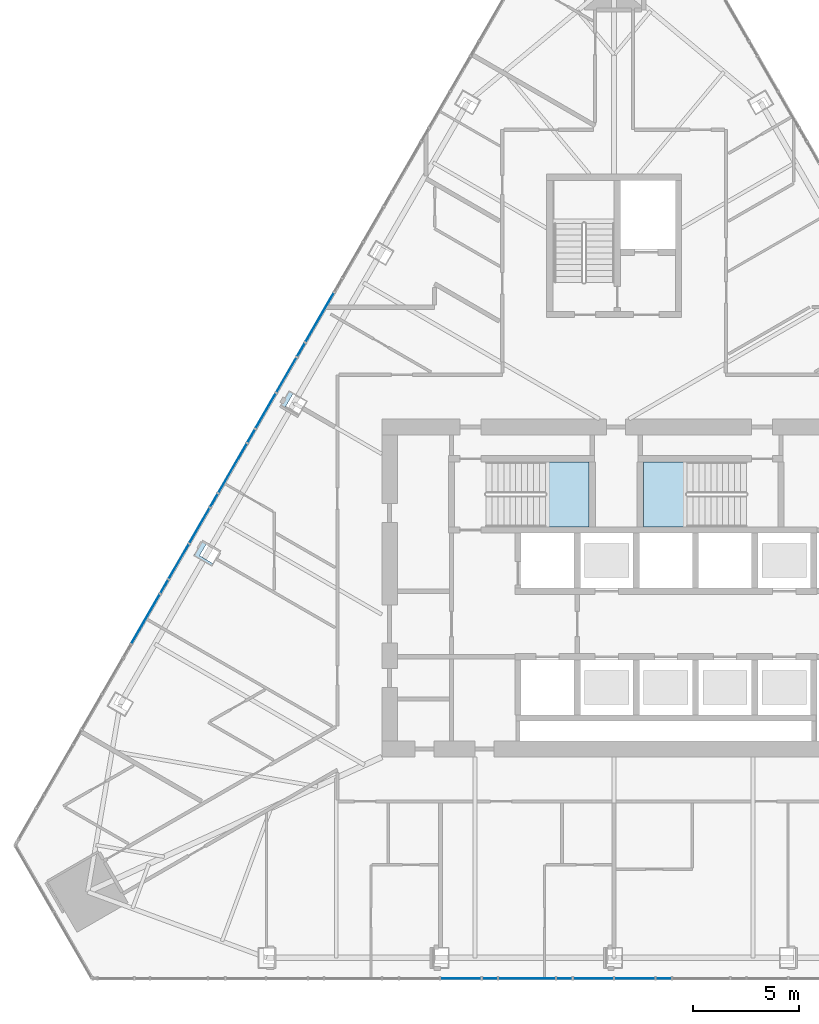
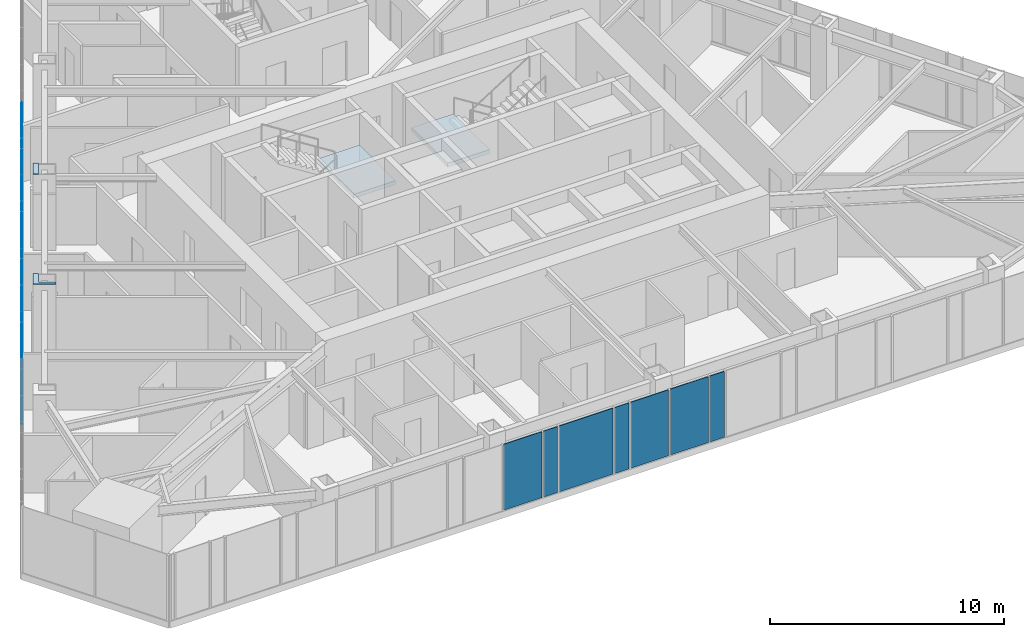
# One storey, part 13 of 24: 20 plates, 2 slabs, 4 elements without a shape of their own.
"""IFC4 building model written with IfcOpenShell, lengths in metres."""

from ifc_helpers import new_model, si_unit, direction, frame, origin, place, context, subcontext, project, spatial, polyline, outline, extrude, material, layer, layer_set, type_object, element, aggregate, save


model = new_model("IFC4")

# Units and contexts
model_context = context("Model", 3, precision=1e-05, world=origin(), true_north=direction((0.0, 1.0)))
body_context = subcontext(model_context, "Body", "Model", "MODEL_VIEW")
ifc_project = project(units=[si_unit("LENGTHUNIT", "METRE"), si_unit("AREAUNIT", "SQUARE_METRE"), si_unit("VOLUMEUNIT", "CUBIC_METRE"), si_unit("PLANEANGLEUNIT", "RADIAN"), si_unit("MASSUNIT", "GRAM", prefix="KILO")], contexts=[model_context])

# Site, building, storey
site_placement = place(None, origin())
site = spatial("IfcSite", under=ifc_project, at=site_placement, CompositionType="ELEMENT")
building_placement = place(site_placement, origin())
building = spatial("IfcBuilding", under=site, at=building_placement, Name="Firuza Gate Tower and Library", CompositionType="ELEMENT")
storey_placement = place(building_placement, frame((0.0, 0.0, 237.699951171875)))
storey = spatial("IfcBuildingStorey", under=building, at=storey_placement, Name="L56", CompositionType="ELEMENT", Elevation=237.699951171875)

# Plates
ifc_material_1 = material(Name="Steel S355", Category="steel")
ifc_layer_1 = layer(ifc_material_1, 0.030029296875)
ifc_layer_set_1 = layer_set([ifc_layer_1], Name="Column infill plate 30 Steel S355")
plate_type_1 = type_object("IfcPlateType", Name="Column infill plate 30 Steel S355", PredefinedType="SHEET", material=ifc_layer_set_1)
placement_1 = place(storey_placement, frame((0.0, 0.0, 3.900146484375)))
element("IfcPlate", 1, at=placement_1, inside=storey, type_object=plate_type_1, Name="Infill plate L56:W3", PredefinedType="SHEET", context=body_context, shape_type="SweptSolid", body=[
    extrude(outline(polyline([(59.2080078125, 83.655517578125), (59.415283203125, 83.535888671875), (59.815185546875, 84.228759765625), (60.47412109375, 83.848388671875), (60.47412109375, 83.848388671875), (59.608154296875, 84.348388671875), (59.2080078125, 83.655517578125)])), origin(), (0.0, 0.0, 1.0), 0.02978515625),
])
element("IfcPlate", 2, at=placement_1, inside=storey, type_object=plate_type_1, Name="Infill plate L56:W4", PredefinedType="SHEET", context=body_context, shape_type="SweptSolid", body=[
    extrude(outline(polyline([(55.96142578125, 76.031982421875), (56.0302734375, 76.151611328125), (55.37158203125, 76.531982421875), (55.702392578125, 77.105224609375), (55.495361328125, 77.224853515625), (55.09521484375, 76.531982421875), (55.96142578125, 76.031982421875)])), origin(), (0.0, 0.0, 1.0), 0.02978515625),
])

# Curtain wall, plates
ifc_material_2 = material(Name="Aluminium 6063-T6", Category="aluminium")
ifc_layer_2 = layer(ifc_material_2, 0.14990234375)
ifc_layer_set_2 = layer_set([ifc_layer_2], Name="Unitised curtain wall, hotel")
curtain_wall_type = type_object("IfcCurtainWallType", Name="Unitised curtain wall, hotel", PredefinedType="NOTDEFINED", material=ifc_layer_set_2)
placement_2 = place(storey_placement, origin())
curtain_wall_1 = element("IfcCurtainWall", 3, at=placement_2, inside=storey, type_object=curtain_wall_type, Name="CW2 L56 S face", PredefinedType="NOTDEFINED")
ifc_material_3 = material(Name="Fritted glass", Category="glass")
ifc_layer_3 = layer(ifc_material_3, 0.030029296875)
ifc_layer_set_3 = layer_set([ifc_layer_3], Name="Fritted glass unit, hotel")
plate_type_2 = type_object("IfcPlateType", Name="Fritted glass unit, hotel", PredefinedType="CURTAIN_PANEL", material=ifc_layer_set_3)
plate_3_placement = place(storey_placement, frame((66.800048828125, 56.506103515625, 0.150146484375), z_axis=(0.0, -1.0, 0.0), x_axis=(1.0, 0.0, 0.0)))
plate_3 = element("IfcPlate", 4, at=plate_3_placement, type_object=plate_type_2, Name="Glass unit", PredefinedType="CURTAIN_PANEL", context=body_context, shape_type="SweptSolid", body=[
    extrude(outline(polyline([(0.0, 0.0), (1.89599609375, 0.0), (1.89599609375, 3.449951171875), (0.0, 3.449951171875), (0.0, 0.0)])), origin(), (0.0, 0.0, -1.0), 0.030029296875),
])
plate_4_placement = place(storey_placement, frame((73.078369140625, 56.506103515625, 0.150146484375), z_axis=(0.0, -1.0, 0.0), x_axis=(1.0, 0.0, 0.0)))
plate_4 = element("IfcPlate", 5, at=plate_4_placement, type_object=plate_type_2, Name="Glass unit", PredefinedType="CURTAIN_PANEL", context=body_context, shape_type="SweptSolid", body=[
    extrude(outline(polyline([(0.0, 0.0), (1.881591796875, 0.0), (1.881591796875, 3.449951171875), (0.0, 3.449951171875), (0.0, 0.0)])), origin(), (0.0, 0.0, -1.0), 0.030029296875),
])
plate_5_placement = place(storey_placement, frame((75.0400390625, 56.506103515625, 0.150146484375), z_axis=(0.0, -1.0, 0.0), x_axis=(1.0, 0.0, 0.0)))
plate_5 = element("IfcPlate", 6, at=plate_5_placement, type_object=plate_type_2, Name="Glass unit", PredefinedType="CURTAIN_PANEL", context=body_context, shape_type="SweptSolid", body=[
    extrude(outline(polyline([(0.0, 0.0), (1.881591796875, 0.0), (1.881591796875, 3.449951171875), (0.0, 3.449951171875), (0.0, 0.0)])), origin(), (0.0, 0.0, -1.0), 0.030029296875),
])

curtain_wall_2 = element("IfcCurtainWall", 7, at=placement_2, inside=storey, type_object=curtain_wall_type, Name="CW2 L56 W face", PredefinedType="NOTDEFINED")
plate_6_placement = place(storey_placement, frame((59.944580078125, 85.9111328125, 0.150146484375), z_axis=(-0.865982457891, 0.500074377092, 0.0), x_axis=(-0.500074377092, -0.865982457891, 0.0)))
plate_6 = element("IfcPlate", 8, at=plate_6_placement, type_object=plate_type_2, Name="Glass unit", PredefinedType="CURTAIN_PANEL", context=body_context, shape_type="SweptSolid", body=[
    extrude(outline(polyline([(0.0, 0.0), (1.8815560481643998, 0.0), (1.8815560481643998, 3.449951171875), (0.0, 3.449951171875), (0.0, 0.0)])), origin(), (0.0, 0.0, -1.0), 0.030029296875),
])
plate_7_placement = place(storey_placement, frame((58.963623046875, 84.21240234375, 0.150146484375), z_axis=(-0.866071079368, 0.499920879222, 0.0), x_axis=(-0.499920879222, -0.866071079368, 0.0)))
plate_7 = element("IfcPlate", 9, at=plate_7_placement, type_object=plate_type_2, Name="Glass unit", PredefinedType="CURTAIN_PANEL", context=body_context, shape_type="SweptSolid", body=[
    extrude(outline(polyline([(0.0, 0.0), (1.881645410748225, 0.0), (1.881645410748225, 3.449951171875), (0.0, 3.449951171875), (0.0, 0.0)])), origin(), (0.0, 0.0, -1.0), 0.030029296875),
])
plate_8_placement = place(storey_placement, frame((55.831787109375, 78.78759765625, 0.150146484375), z_axis=(-0.866039783157, 0.499975093369, 0.0), x_axis=(-0.499975093369, -0.866039783157, 0.0)))
plate_8 = element("IfcPlate", 10, at=plate_8_placement, type_object=plate_type_2, Name="Glass unit", PredefinedType="CURTAIN_PANEL", context=body_context, shape_type="SweptSolid", body=[
    extrude(outline(polyline([(0.0, 0.0), (1.896090544205554, 0.0), (1.896090544205554, 3.449951171875), (0.0, 3.449951171875), (0.0, 0.0)])), origin(), (0.0, 0.0, -1.0), 0.030029296875),
])
plate_9_placement = place(storey_placement, frame((54.84375, 77.076416015625, 0.150146484375), z_axis=(-0.866046247233, 0.49996389635, 0.0), x_axis=(-0.49996389635, -0.866046247233, 0.0)))
plate_9 = element("IfcPlate", 11, at=plate_9_placement, type_object=plate_type_2, Name="Glass unit", PredefinedType="CURTAIN_PANEL", context=body_context, shape_type="SweptSolid", body=[
    extrude(outline(polyline([(0.0, 0.0), (1.8673223343052783, 0.0), (1.8673223343052783, 3.449951171875), (0.0, 3.449951171875), (0.0, 0.0)])), origin(), (0.0, 0.0, -1.0), 0.030029296875),
])

# Plate
ifc_material_4 = material(Name="Glazed ceramic tile")
ifc_layer_4 = layer(ifc_material_4, 0.030029296875)
ifc_layer_set_4 = layer_set([ifc_layer_4], Name="Opaque ceramic panel, hotel")
plate_type_3 = type_object("IfcPlateType", Name="Opaque ceramic panel, hotel", PredefinedType="CURTAIN_PANEL", material=ifc_layer_set_4)
plate_10_placement = place(storey_placement, frame((68.776123046875, 56.506103515625, 0.150146484375), z_axis=(0.0, -1.0, 0.0), x_axis=(1.0, 0.0, 0.0)))
plate_10 = element("IfcPlate", 12, at=plate_10_placement, type_object=plate_type_3, Name="Opaque ceramic panel", PredefinedType="CURTAIN_PANEL", context=body_context, shape_type="SweptSolid", body=[
    extrude(outline(polyline([(0.0, 0.0), (0.690673828125, 0.0), (0.690673828125, 3.449951171875), (0.0, 3.449951171875), (0.0, 0.0)])), origin(), (0.0, 0.0, -1.0), 0.030029296875),
])

plate_11_placement = place(storey_placement, frame((69.546630859375, 56.506103515625, 0.150146484375), z_axis=(0.0, -1.0, 0.0), x_axis=(1.0, 0.0, 0.0)))
plate_11 = element("IfcPlate", 13, at=plate_11_placement, type_object=plate_type_3, Name="Opaque ceramic panel", PredefinedType="CURTAIN_PANEL", context=body_context, shape_type="SweptSolid", body=[
    extrude(outline(polyline([(0.0, 0.0), (2.666748046875, 0.0), (2.666748046875, 3.449951171875), (0.0, 3.449951171875), (0.0, 0.0)])), origin(), (0.0, 0.0, -1.0), 0.030029296875),
])

plate_12_placement = place(storey_placement, frame((72.29345703125, 56.506103515625, 0.150146484375), z_axis=(0.0, -1.0, 0.0), x_axis=(1.0, 0.0, 0.0)))
plate_12 = element("IfcPlate", 14, at=plate_12_placement, type_object=plate_type_3, Name="Opaque ceramic panel", PredefinedType="CURTAIN_PANEL", context=body_context, shape_type="SweptSolid", body=[
    extrude(outline(polyline([(0.0, 0.0), (0.705078125, 0.0), (0.705078125, 3.449951171875), (0.0, 3.449951171875), (0.0, 0.0)])), origin(), (0.0, 0.0, -1.0), 0.030029296875),
])

plate_13_placement = place(storey_placement, frame((77.00146484375, 56.506103515625, 0.150146484375), z_axis=(0.0, -1.0, 0.0), x_axis=(1.0, 0.0, 0.0)))
plate_13 = element("IfcPlate", 15, at=plate_13_placement, type_object=plate_type_3, Name="Opaque ceramic panel", PredefinedType="CURTAIN_PANEL", context=body_context, shape_type="SweptSolid", body=[
    extrude(outline(polyline([(0.0, 0.0), (0.705078125, 0.0), (0.705078125, 3.449951171875), (0.0, 3.449951171875), (0.0, 0.0)])), origin(), (0.0, 0.0, -1.0), 0.030029296875),
])

aggregate(curtain_wall_1, [plate_3, plate_10, plate_11, plate_12, plate_4, plate_5, plate_13])

plate_14_placement = place(storey_placement, frame((61.71044921875, 88.9697265625, 0.150146484375), z_axis=(-0.865991950723, 0.500057937927, 0.0), x_axis=(-0.500057937927, -0.865991950723, 0.0)))
plate_14 = element("IfcPlate", 16, at=plate_14_placement, type_object=plate_type_3, Name="Opaque ceramic panel", PredefinedType="CURTAIN_PANEL", context=body_context, shape_type="SweptSolid", body=[
    extrude(outline(polyline([(0.0, 0.0), (2.666683183310937, 0.0), (2.666683183310937, 3.449951171875), (0.0, 3.449951171875), (0.0, 0.0)])), origin(), (0.0, 0.0, -1.0), 0.030029296875),
])

plate_15_placement = place(storey_placement, frame((60.337158203125, 86.591064453125, 0.150146484375), z_axis=(-0.86601836006, 0.500012199891, 0.0), x_axis=(-0.500012199891, -0.86601836006, 0.0)))
plate_15 = element("IfcPlate", 17, at=plate_15_placement, type_object=plate_type_3, Name="Opaque ceramic panel", PredefinedType="CURTAIN_PANEL", context=body_context, shape_type="SweptSolid", body=[
    extrude(outline(polyline([(0.0, 0.0), (0.7050609216678316, 0.0), (0.7050609216678316, 3.449951171875), (0.0, 3.449951171875), (0.0, 0.0)])), origin(), (0.0, 0.0, -1.0), 0.030029296875),
])

plate_16_placement = place(storey_placement, frame((57.98291015625, 82.513671875, 0.150146484375), z_axis=(-0.86601836006, 0.500012199891, 0.0), x_axis=(-0.500012199891, -0.86601836006, 0.0)))
plate_16 = element("IfcPlate", 18, at=plate_16_placement, type_object=plate_type_3, Name="Opaque ceramic panel", PredefinedType="CURTAIN_PANEL", context=body_context, shape_type="SweptSolid", body=[
    extrude(outline(polyline([(0.0, 0.0), (0.7050609216678316, 0.0), (0.7050609216678316, 3.449951171875), (0.0, 3.449951171875), (0.0, 0.0)])), origin(), (0.0, 0.0, -1.0), 0.030029296875),
])

plate_17_placement = place(storey_placement, frame((57.59033203125, 81.833740234375, 0.150146484375), z_axis=(-0.866054481515, 0.499949632511, 0.0), x_axis=(-0.499949632511, -0.866054481515, 0.0)))
plate_17 = element("IfcPlate", 19, at=plate_17_placement, type_object=plate_type_3, Name="Opaque ceramic panel", PredefinedType="CURTAIN_PANEL", context=body_context, shape_type="SweptSolid", body=[
    extrude(outline(polyline([(0.0, 0.0), (2.6667725435239085, 0.0), (2.6667725435239085, 3.449951171875), (0.0, 3.449951171875), (0.0, 0.0)])), origin(), (0.0, 0.0, -1.0), 0.030029296875),
])

plate_18_placement = place(storey_placement, frame((56.217041015625, 79.455078125, 0.150146484375), z_axis=(-0.866103179807, 0.499865263774, 0.0), x_axis=(-0.499865263774, -0.866103179807, 0.0)))
plate_18 = element("IfcPlate", 20, at=plate_18_placement, type_object=plate_type_3, Name="Opaque ceramic panel", PredefinedType="CURTAIN_PANEL", context=body_context, shape_type="SweptSolid", body=[
    extrude(outline(polyline([(0.0, 0.0), (0.6906157894297082, 0.0), (0.6906157894297082, 3.4499511718749996), (0.0, 3.4499511718749996), (0.0, 0.0)])), origin(), (0.0, 0.0, -1.0), 0.030029296875),
])

plate_19_placement = place(storey_placement, frame((53.8701171875, 75.39013671875, 0.150146484375), z_axis=(-0.866168640637, 0.499751824386, 0.0), x_axis=(-0.499751824386, -0.866168640637, 0.0)))
plate_19 = element("IfcPlate", 21, at=plate_19_placement, type_object=plate_type_3, Name="Opaque ceramic panel", PredefinedType="CURTAIN_PANEL", context=body_context, shape_type="SweptSolid", body=[
    extrude(outline(polyline([(0.0, 0.0), (0.7195954533366005, 0.0), (0.7195954533366005, 3.449951171875), (0.0, 3.449951171875), (0.0, 0.0)])), origin(), (0.0, 0.0, -1.0), 0.030029296875),
])

plate_20_placement = place(storey_placement, frame((53.470458984375, 74.69775390625, 0.150146484375), z_axis=(-0.866054481515, 0.499949632511, 0.0), x_axis=(-0.499949632511, -0.866054481515, 0.0)))
plate_20 = element("IfcPlate", 22, at=plate_20_placement, type_object=plate_type_3, Name="Opaque ceramic panel", PredefinedType="CURTAIN_PANEL", context=body_context, shape_type="SweptSolid", body=[
    extrude(outline(polyline([(0.0, 0.0), (2.6667725435239085, 0.0), (2.6667725435239085, 3.449951171875), (0.0, 3.449951171875), (0.0, 0.0)])), origin(), (0.0, 0.0, -1.0), 0.030029296875),
])

aggregate(curtain_wall_2, [plate_14, plate_15, plate_6, plate_7, plate_16, plate_17, plate_18, plate_8, plate_9, plate_19, plate_20])

# Stair, slab
ifc_material_5 = material(Name="Concrete C35/45", Category="concrete")
stair_type = type_object("IfcStairType", Name="Exit stair ST7", PredefinedType="HALF_TURN_STAIR", material=ifc_material_5)
stair_1 = element("IfcStair", 23, at=placement_2, inside=storey, type_object=stair_type, Name="L56 Stair ST1", PredefinedType="HALF_TURN_STAIR")
ifc_material_6 = material(Name="Concrete C35/45", Category="concrete")
ifc_layer_5 = layer(ifc_material_6, 0.199951171875)
ifc_layer_set_5 = layer_set([ifc_layer_5], Name="Stair landing 200")
slab_type = type_object("IfcSlabType", Name="Stair landing 200", PredefinedType="LANDING", material=ifc_layer_set_5)
placement_3 = place(storey_placement, frame((0.0, 0.0, 1.75)))
slab_1 = element("IfcSlab", 24, at=placement_3, type_object=slab_type, Name="ST1 landing 1", PredefinedType="LANDING", context=body_context, shape_type="SweptSolid", body=[
    extrude(outline(polyline([(71.739990234375, 77.89990234375), (73.81005859375, 77.89990234375), (73.81005859375, 80.97998046875), (71.739990234375, 80.97998046875), (71.739990234375, 77.89990234375)])), origin(), (0.0, 0.0, 1.0), 0.199951171875),
])
aggregate(stair_1, [slab_1])

stair_2 = element("IfcStair", 25, at=placement_2, inside=storey, type_object=stair_type, Name="L56 Stair ST2", PredefinedType="HALF_TURN_STAIR")
slab_2 = element("IfcSlab", 26, at=placement_3, type_object=slab_type, Name="ST2 landing 1", PredefinedType="LANDING", context=body_context, shape_type="SweptSolid", body=[
    extrude(outline(polyline([(78.4599609375, 80.97998046875), (76.389892578125, 80.97998046875), (76.389892578125, 77.89990234375), (78.4599609375, 77.89990234375), (78.4599609375, 80.97998046875)])), origin(), (0.0, 0.0, 1.0), 0.199951171875),
])
aggregate(stair_2, [slab_2])

save(model, "model.ifc")
